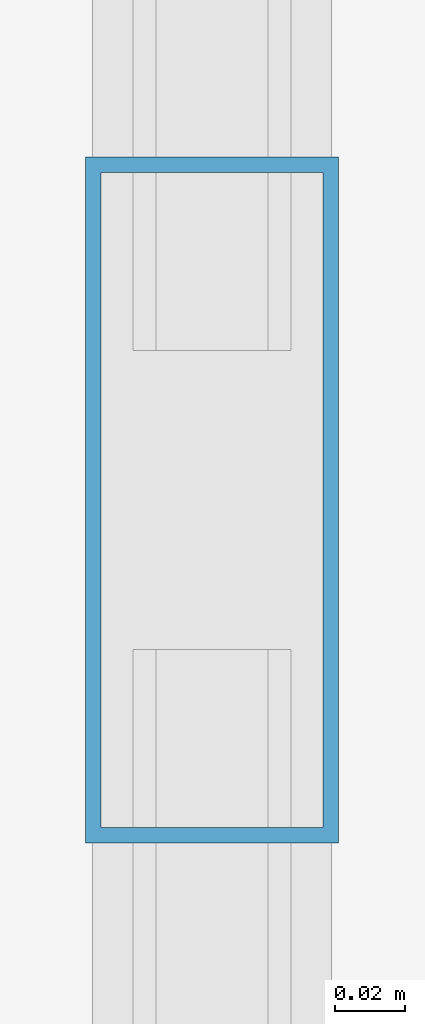
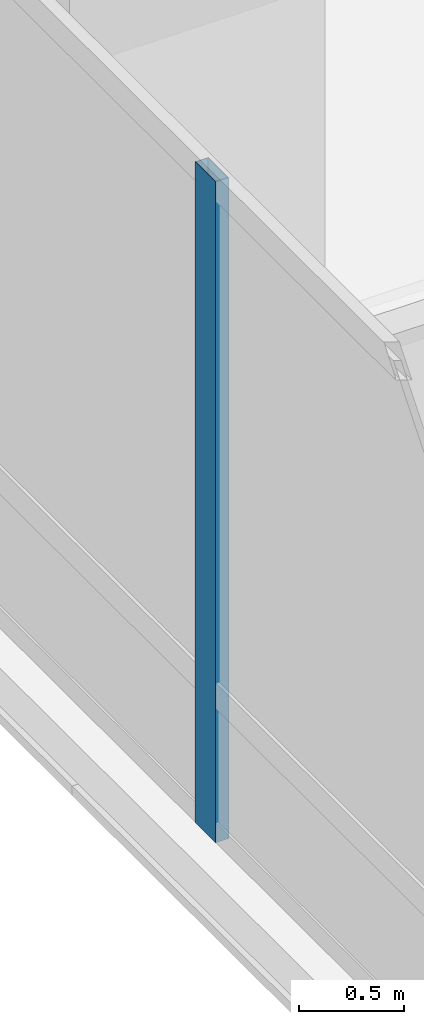
# One storey, part 7 of 41: 1 member, 1 element without a shape of its own.
"""IFC4 building model written with IfcOpenShell, lengths in metres."""

from ifc_helpers import new_model, si_unit, direction, frame, origin, origin_2d, place, context, subcontext, project, spatial, hollow_rectangle, extrude, material, material_profile, profile_set, type_object, element, aggregate, save


model = new_model("IFC4")

# Units and contexts
model_context = context("Model", 3, precision=1e-05, world=origin(), true_north=direction((0.0, 1.0)))
body_context = subcontext(model_context, "Body", "Model", "MODEL_VIEW")
ifc_project = project(units=[si_unit("LENGTHUNIT", "METRE"), si_unit("AREAUNIT", "SQUARE_METRE"), si_unit("VOLUMEUNIT", "CUBIC_METRE"), si_unit("PLANEANGLEUNIT", "RADIAN"), si_unit("MASSUNIT", "GRAM", prefix="KILO")], contexts=[model_context])

# Site, building, storey
site_placement = place(None, origin())
site = spatial("IfcSite", under=ifc_project, at=site_placement, CompositionType="ELEMENT")
building_placement = place(site_placement, origin())
building = spatial("IfcBuilding", under=site, at=building_placement, Name="Punatoya Terracotta Tower", CompositionType="ELEMENT")
storey_placement = place(building_placement, frame((0.0, 0.0, 220.800048828125)))
storey = spatial("IfcBuildingStorey", under=building, at=storey_placement, Name="L52", CompositionType="ELEMENT", Elevation=220.800048828125)

# Curtain wall, member
ifc_material_1 = material(Name="Aluminium 6063-T6 + Double Low-E Glass", Category="aluminium")
curtain_wall_type = type_object("IfcCurtainWallType", Name="CW-M2", PredefinedType="NOTDEFINED", material=ifc_material_1)
curtain_wall_placement = place(storey_placement, origin())
curtain_wall = element("IfcCurtainWall", 1, at=curtain_wall_placement, inside=storey, type_object=curtain_wall_type, Name="L52 Curtain Wall CW-L52-W11-1", PredefinedType="NOTDEFINED")
ifc_material_2 = material(Name="Aluminium 6063-T6", Category="aluminium")
ifc_material_profile = material_profile(ifc_material_2, hollow_rectangle(XDim=0.072021484375, YDim=0.195068359375, WallThickness=0.00439453125, at=origin_2d()))
ifc_profile_set = profile_set([ifc_material_profile], Name="Aluminium 6063-T6")
member_type = type_object("IfcMemberType", Name="CW-MUL-M2", PredefinedType="MULLION", material=ifc_profile_set)
member_placement = place(storey_placement, frame((-20.050048828125, -5.88720703125, 0.0), z_axis=(0.0, 0.0, 1.0), x_axis=(1.0, 0.0, 0.0)))
member = element("IfcMember", 2, at=member_placement, type_object=member_type, Name="CW-L52-W11-1 Mullion 05", PredefinedType="MULLION", context=body_context, shape_type="SweptSolid", body=[
    extrude(hollow_rectangle(XDim=0.072021484375, YDim=0.195068359375, WallThickness=0.00439453125, at=origin_2d()), origin(), (0.0, 0.0, 1.0), 3.829833984375),
])
aggregate(curtain_wall, [member])

save(model, "model.ifc")
